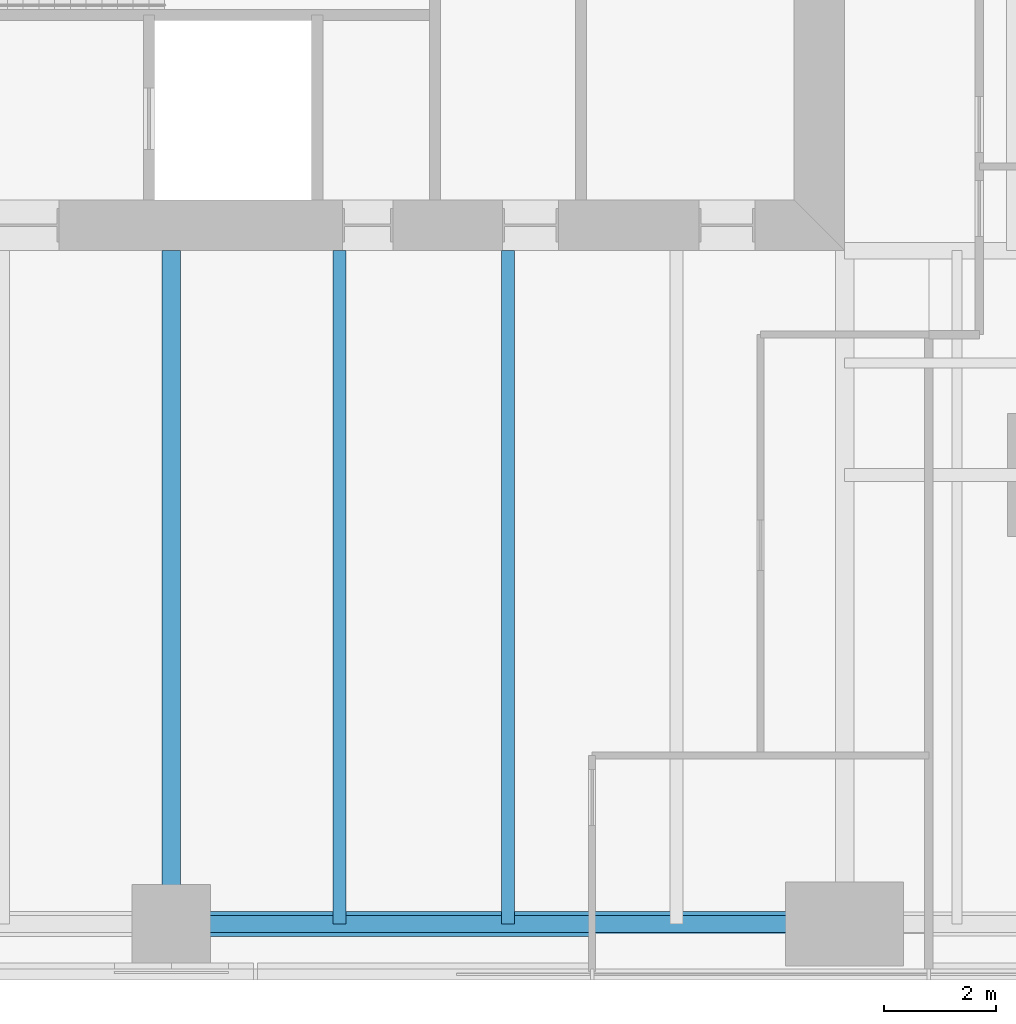
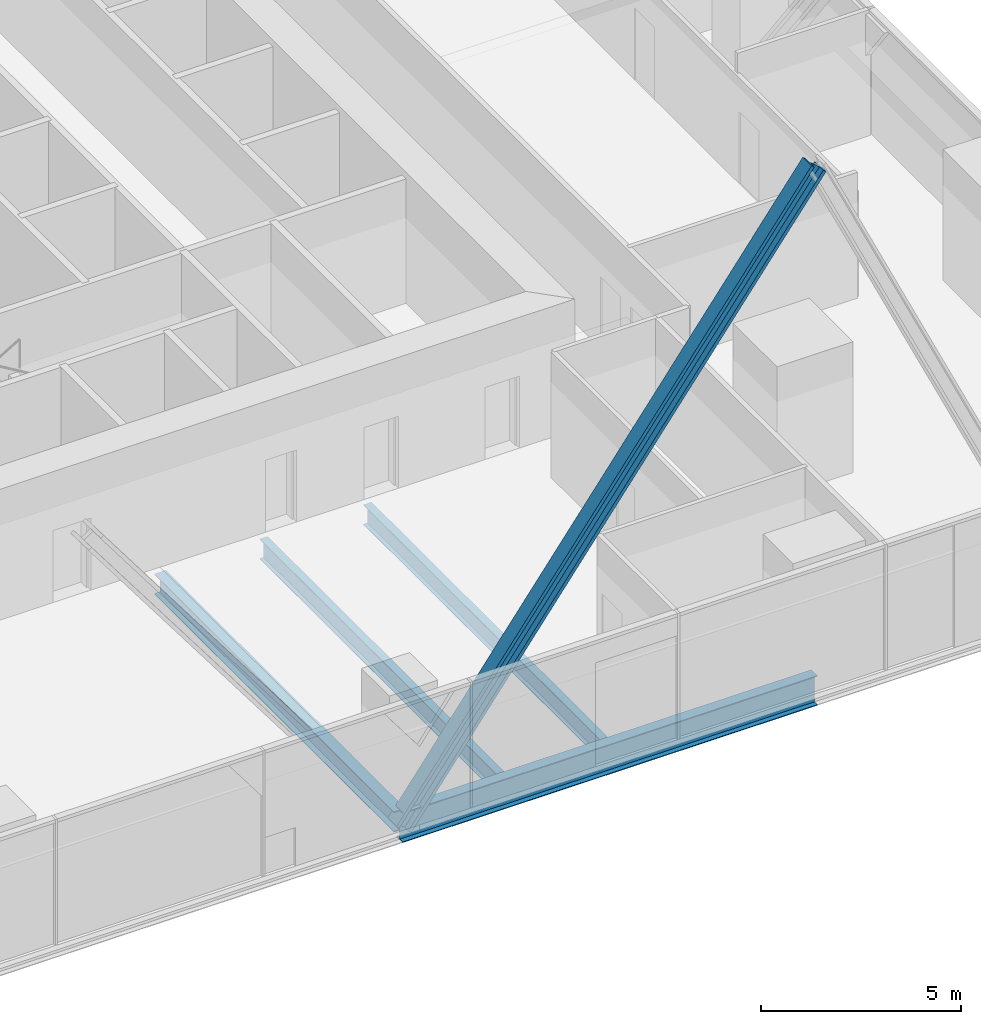
# One storey, part 3 of 13: 4 beams, 1 member.
"""IFC4 building model written with IfcOpenShell, lengths in metres."""

from ifc_helpers import new_model, si_unit, direction, frame, origin, origin_2d, place, context, subcontext, project, spatial, i_section, extrude, material, material_profile, profile_set, type_object, element, save


model = new_model("IFC4")

# Units and contexts
model_context = context("Model", 3, precision=1e-05, world=origin(), true_north=direction((0.0, 1.0)))
body_context = subcontext(model_context, "Body", "Model", "MODEL_VIEW")
ifc_project = project(units=[si_unit("LENGTHUNIT", "METRE"), si_unit("AREAUNIT", "SQUARE_METRE"), si_unit("VOLUMEUNIT", "CUBIC_METRE"), si_unit("PLANEANGLEUNIT", "RADIAN"), si_unit("MASSUNIT", "GRAM", prefix="KILO")], contexts=[model_context])

# Site, building, storey
site_placement = place(None, origin())
site = spatial("IfcSite", under=ifc_project, at=site_placement, CompositionType="ELEMENT")
building_placement = place(site_placement, origin())
building = spatial("IfcBuilding", under=site, at=building_placement, Name="Fenwick Lantern Interchange", CompositionType="ELEMENT")
storey_placement = place(building_placement, frame((0.0, 0.0, 114.39990234375)))
storey = spatial("IfcBuildingStorey", under=building, at=storey_placement, Name="L26", CompositionType="ELEMENT", Elevation=114.39990234375)

# Beam
ifc_material = material(Name="Steel ASTM A992 Grade 50", Category="steel")
ifc_material_profile_1 = material_profile(ifc_material, i_section(OverallWidth=0.3046875, OverallDepth=0.911865234375, WebThickness=0.015869140625, FlangeThickness=0.02392578125, at=origin_2d()), Name="W36X150")
ifc_profile_set_1 = profile_set([ifc_material_profile_1], Name="Steel ASTM A992 Grade 50")
beam_type_1 = type_object("IfcBeamType", Name="EDGE BEAM W36X150", PredefinedType="SPANDREL", material=ifc_profile_set_1)
beam_1_placement = place(storey_placement, frame((25.0, 1.0, -0.605712890625), z_axis=(1.0, 0.0, 0.0), x_axis=(0.0, 1.0, 0.0)))
element("IfcBeam", 1, at=beam_1_placement, inside=storey, type_object=beam_type_1, Name="L26/FR/S/EB3", PredefinedType="SPANDREL", context=body_context, shape_type="SweptSolid", body=[
    extrude(i_section(OverallWidth=0.3046875, OverallDepth=0.911865234375, WebThickness=0.015869140625, FlangeThickness=0.02392578125, at=origin_2d()), origin(), (0.0, 0.0, 1.0), 12.0),
])

# Member
ifc_material_profile_2 = material_profile(ifc_material, i_section(OverallWidth=0.44189453125, OverallDepth=0.53076171875, WebThickness=0.06591796875, FlangeThickness=0.105712890625, at=origin_2d()), Name="W14X605")
ifc_profile_set_2 = profile_set([ifc_material_profile_2], Name="Steel ASTM A992 Grade 50")
member_type = type_object("IfcMemberType", Name="FACADE BRACE W14X605", PredefinedType="BRACE", material=ifc_profile_set_2)
member_placement = place(storey_placement, frame((25.0, 1.0, -0.605712890625), z_axis=(0.6, 0.0, 0.8), x_axis=(0.0, 1.0, 0.0)))
element("IfcMember", 2, at=member_placement, inside=storey, type_object=member_type, Name="L26/FB/S/B", PredefinedType="BRACE", context=body_context, shape_type="SweptSolid", body=[
    extrude(i_section(OverallWidth=0.44189453125, OverallDepth=0.53076171875, WebThickness=0.06591796875, FlangeThickness=0.105712890625, at=origin_2d()), origin(), (0.0, 0.0, 1.0), 20.0),
])

# Beams
ifc_material_profile_3 = material_profile(ifc_material, i_section(OverallWidth=0.22900390625, OverallDepth=0.612060546875, WebThickness=0.011962890625, FlangeThickness=0.01953125, at=origin_2d()), Name="W24X84")
ifc_profile_set_3 = profile_set([ifc_material_profile_3], Name="Steel ASTM A992 Grade 50")
beam_type_2 = type_object("IfcBeamType", Name="FLOOR BEAM W24X84", PredefinedType="BEAM", material=ifc_profile_set_3)
for number, where, z_axis, x_axis, name in (
    (3, (28.0, 1.0, -0.4560546875), (0.0, 1.0, 0.0), (-1.0, 0.0, 0.0), "L26/FR/S/R06"),
    (4, (31.0, 1.0, -0.4560546875), (0.0, 1.0, 0.0), (-1.0, 0.0, 0.0), "L26/FR/S/R07"),
):
    element("IfcBeam", number, at=place(storey_placement, frame(where, z_axis=z_axis, x_axis=x_axis)), inside=storey, type_object=beam_type_2, Name=name, PredefinedType="BEAM", context=body_context, shape_type="SweptSolid", body=[
        extrude(i_section(OverallWidth=0.22900390625, OverallDepth=0.612060546875, WebThickness=0.011962890625, FlangeThickness=0.01953125, at=origin_2d()), origin(), (0.0, 0.0, 1.0), 12.0),
    ])
ifc_material_profile_4 = material_profile(ifc_material, i_section(OverallWidth=0.32763671875, OverallDepth=0.622314453125, WebThickness=0.015380859375, FlangeThickness=0.0244140625, at=origin_2d()), Name="W24X131")
ifc_profile_set_4 = profile_set([ifc_material_profile_4], Name="Steel ASTM A992 Grade 50")
beam_type_3 = type_object("IfcBeamType", Name="MOMENT-CONNECTED GIRDER W24X131", PredefinedType="BEAM", material=ifc_profile_set_4)
beam_2_placement = place(storey_placement, frame((25.0, 1.0, -0.4609375), z_axis=(0.0, 1.0, 0.0), x_axis=(-1.0, 0.0, 0.0)))
element("IfcBeam", 5, at=beam_2_placement, inside=storey, type_object=beam_type_3, Name="L26/FR/S/R05", PredefinedType="BEAM", context=body_context, shape_type="SweptSolid", body=[
    extrude(i_section(OverallWidth=0.32763671875, OverallDepth=0.622314453125, WebThickness=0.015380859375, FlangeThickness=0.0244140625, at=origin_2d()), origin(), (0.0, 0.0, 1.0), 12.0),
])

save(model, "model.ifc")
